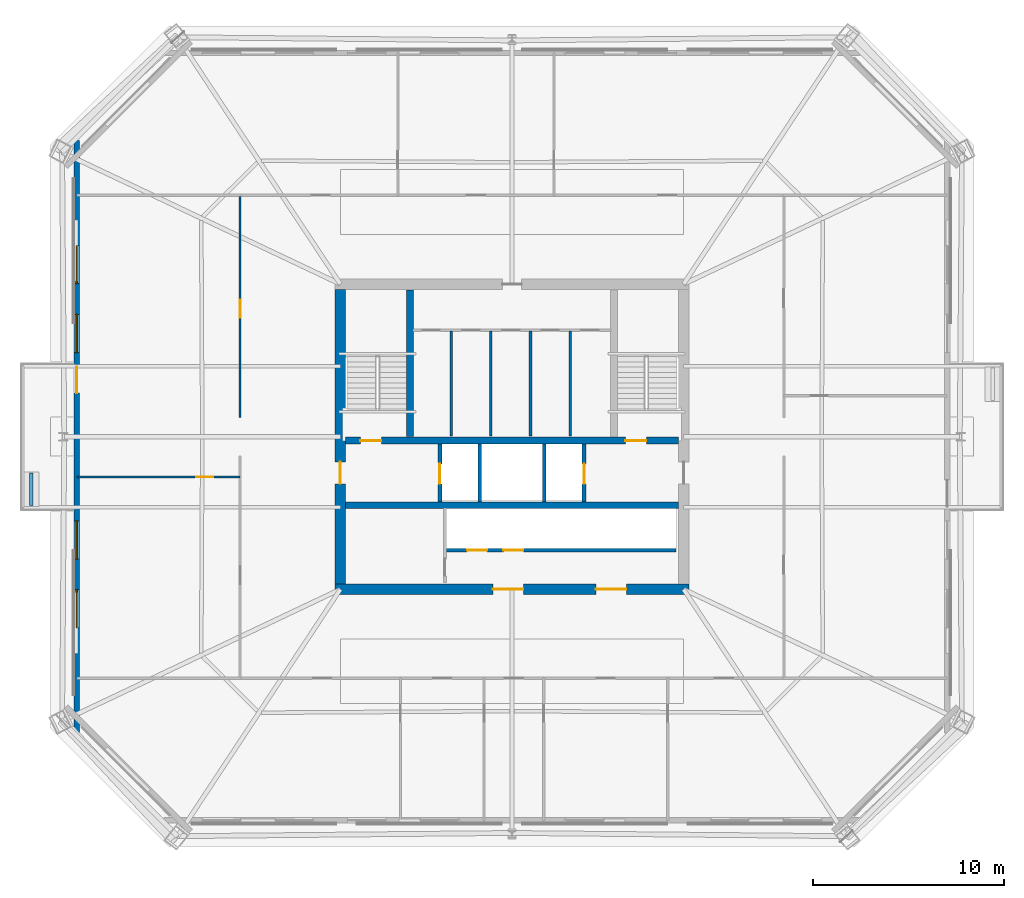
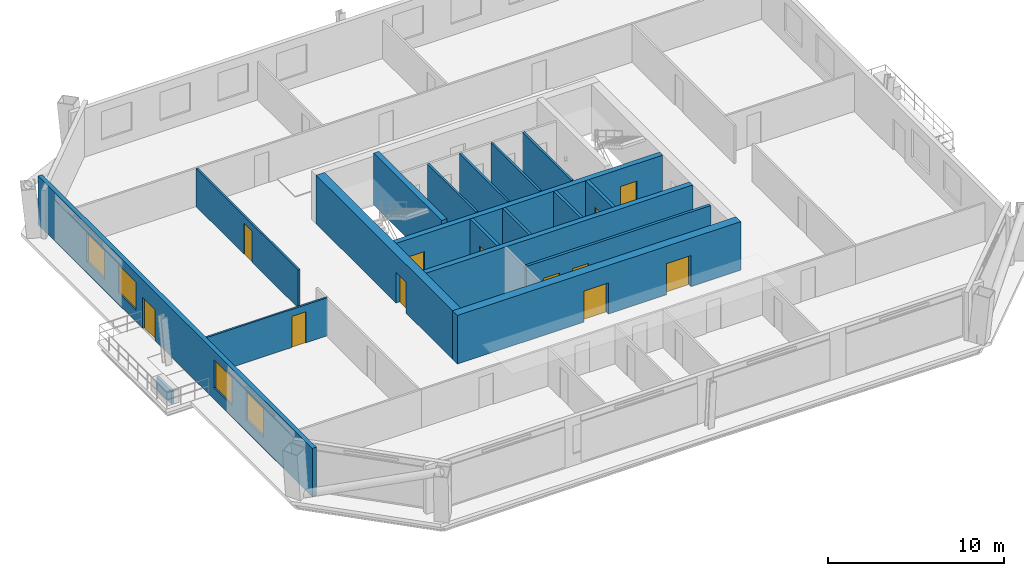
# One storey, part 3 of 8: 18 walls, 12 doors, 4 windows, 16 openings.
"""IFC4 building model written with IfcOpenShell, lengths in metres."""

from ifc_helpers import new_model, si_unit, direction, frame, frame_2d, origin, place, context, subcontext, project, spatial, rectangle, extrude, material, layer, layer_set, type_object, element, fill, save


model = new_model("IFC4")

# Units and contexts
model_context = context("Model", 3, precision=1e-05, world=origin(), true_north=direction((0.0, 1.0)))
body_context = subcontext(model_context, "Body", "Model", "MODEL_VIEW")
ifc_project = project(units=[si_unit("LENGTHUNIT", "METRE"), si_unit("AREAUNIT", "SQUARE_METRE"), si_unit("VOLUMEUNIT", "CUBIC_METRE"), si_unit("PLANEANGLEUNIT", "RADIAN"), si_unit("MASSUNIT", "GRAM", prefix="KILO")], contexts=[model_context])

# Site, building, storey
site_placement = place(None, origin())
site = spatial("IfcSite", under=ifc_project, at=site_placement, CompositionType="ELEMENT")
building_placement = place(site_placement, origin())
building = spatial("IfcBuilding", under=site, at=building_placement, Name="Caelvoria Tower", CompositionType="ELEMENT")
storey_placement = place(building_placement, frame((0.0, 0.0, 145.60009765625)))
storey = spatial("IfcBuildingStorey", under=building, at=storey_placement, Name="L38", CompositionType="ELEMENT", Elevation=145.60009765625)

# Wall
ifc_material_1 = material(Name="Bronze-Clad Concrete C40/50", Category="concrete")
ifc_layer_1 = layer(ifc_material_1, 0.179931640625, Name="Bronze-Clad Concrete C40/50")
ifc_layer_set_1 = layer_set([ifc_layer_1], Name="Architectural Planter Kerb Wall 180 - Bronze-Clad Concrete C40/50")
wall_type_1 = type_object("IfcWallType", Name="Architectural Planter Kerb Wall 180", PredefinedType="PARAPET", material=ifc_layer_set_1)
wall_1_placement = place(storey_placement, frame((20.800048828125, 28.39990234375, 0.0), z_axis=(0.0, 0.0, 1.0), x_axis=(0.0, 1.0, 0.0)))
element("IfcWall", 1, at=wall_1_placement, inside=storey, type_object=wall_type_1, Name="Tree Balcony Planter Kerb PLANTER TB-L38-W", PredefinedType="PARAPET", context=body_context, shape_type="SweptSolid", body=[
    extrude(rectangle(XDim=1.7001953125, YDim=0.179931640625, at=frame_2d((0.85009765625, 0.0))), origin(), (0.0, 0.0, 1.0), 0.8798828125),
])

# Wall, openings, doors
ifc_material_2 = material(Name="Concrete C50/60", Category="concrete")
ifc_layer_2 = layer(ifc_material_2, 0.35009765625, Name="Concrete C50/60")
ifc_layer_set_2 = layer_set([ifc_layer_2], Name="Core Internal Shear Wall 350 - Concrete C50/60")
wall_type_2 = type_object("IfcWallType", Name="Core Internal Shear Wall 350", PredefinedType="SHEAR", material=ifc_layer_set_2)
wall_2_placement = place(storey_placement, frame((37.27490234375, 31.800048828125, 0.0), z_axis=(0.0, 0.0, 1.0), x_axis=(1.0, 0.0, 0.0)))
wall_2 = element("IfcWall", 2, at=wall_2_placement, inside=storey, type_object=wall_type_2, Name="Core Shear Wall L38 M1", PredefinedType="SHEAR", context=body_context, shape_type="SweptSolid", body=[
    extrude(rectangle(XDim=17.4501953125, YDim=0.35009765625, at=frame_2d((8.72509765625, 0.0))), origin(), (0.0, 0.0, 1.0), 3.35986328125),
])
opening_1_placement = place(wall_2_placement, frame((0.77490234375, 0.0, 0.0)))
opening_1 = element("IfcOpeningElement", 3, at=opening_1_placement, cuts=wall_2, Name="Opening ID-01", PredefinedType="OPENING", context=body_context, shape_type="SweptSolid", body=[
    extrude(rectangle(XDim=1.10009765625, YDim=2.14990234375, at=frame_2d((0.550048828125, 1.074951171875))), frame((0.0, 0.18505859375, 0.0), z_axis=(0.0, -1.0, 0.0), x_axis=(1.0, 0.0, 0.0)), (0.0, 0.0, 1.0), 0.3701171875),
])
opening_2_placement = place(wall_2_placement, frame((14.675048828125, 0.0, 0.0)))
opening_2 = element("IfcOpeningElement", 4, at=opening_2_placement, cuts=wall_2, Name="Opening ID-01", PredefinedType="OPENING", context=body_context, shape_type="SweptSolid", body=[
    extrude(rectangle(XDim=1.10009765625, YDim=2.14990234375, at=frame_2d((0.550048828125, 1.074951171875))), frame((0.0, 0.18505859375, 0.0), z_axis=(0.0, -1.0, 0.0), x_axis=(1.0, 0.0, 0.0)), (0.0, 0.0, 1.0), 0.3701171875),
])
ifc_material_3 = material(Name="Painted Hollow Steel Fire Door", Category="steel")
door_type_1 = type_object("IfcDoorType", Name="Fire Door FD90S 1100x2150", OperationType="NOTDEFINED", PredefinedType="DOOR", material=ifc_material_3)
door_1_placement = place(opening_1_placement, origin())
door_1 = element("IfcDoor", 5, at=door_1_placement, inside=storey, type_object=door_type_1, Name="Core Door DR-L38-ST1", OperationType="SINGLE_SWING_LEFT", OverallHeight=2.14990234375, OverallWidth=1.10009765625, PredefinedType="DOOR", context=body_context, shape_type="SweptSolid", body=[
    extrude(rectangle(XDim=1.10009765625, YDim=2.14990234375, at=frame_2d((0.550048828125, 1.074951171875))), frame((0.0, 0.02490234375, 0.0), z_axis=(0.0, -1.0, 0.0), x_axis=(1.0, 0.0, 0.0)), (0.0, 0.0, 1.0), 0.050048828125),
])
fill(opening_1, door_1)
door_2_placement = place(opening_2_placement, origin())
door_2 = element("IfcDoor", 6, at=door_2_placement, inside=storey, type_object=door_type_1, Name="Core Door DR-L38-ST2", OperationType="SINGLE_SWING_RIGHT", OverallHeight=2.14990234375, OverallWidth=1.10009765625, PredefinedType="DOOR", context=body_context, shape_type="SweptSolid", body=[
    extrude(rectangle(XDim=1.10009765625, YDim=2.14990234375, at=frame_2d((0.550048828125, 1.074951171875))), frame((0.0, 0.02490234375, 0.0), z_axis=(0.0, -1.0, 0.0), x_axis=(1.0, 0.0, 0.0)), (0.0, 0.0, 1.0), 0.050048828125),
])
fill(opening_2, door_2)

# Walls
wall_3_placement = place(storey_placement, frame((37.27490234375, 28.39990234375, 0.0), z_axis=(0.0, 0.0, 1.0), x_axis=(1.0, 0.0, 0.0)))
element("IfcWall", 7, at=wall_3_placement, inside=storey, type_object=wall_type_2, Name="Core Shear Wall L38 M2", PredefinedType="SHEAR", context=body_context, shape_type="SweptSolid", body=[
    extrude(rectangle(XDim=17.4501953125, YDim=0.35009765625, at=frame_2d((8.72509765625, 0.0))), origin(), (0.0, 0.0, 1.0), 3.35986328125),
])
wall_4_placement = place(storey_placement, frame((40.64990234375, 32.0, 0.0), z_axis=(0.0, 0.0, 1.0), x_axis=(0.0, 1.0, 0.0)))
element("IfcWall", 8, at=wall_4_placement, inside=storey, type_object=wall_type_2, Name="Interior Partition IW-L38-ST1E", PredefinedType="SHEAR", context=body_context, shape_type="SweptSolid", body=[
    extrude(rectangle(XDim=7.699951171875, YDim=0.35009765625, at=frame_2d((3.85009765625, 0.0))), origin(), (0.0, 0.0, 1.0), 3.599853515625),
])
ifc_material_4 = material(Name="Moisture-Resistant Gypsum on Steel Stud", Category="steel")
ifc_layer_3 = layer(ifc_material_4, 0.139892578125, Name="Moisture-Resistant Gypsum on Steel Stud")
ifc_layer_set_3 = layer_set([ifc_layer_3], Name="Core Sanitary Acoustic Partition Wall 140 - Moisture-Resistant Gypsum on Steel Stud")
wall_type_3 = type_object("IfcWallType", Name="Core Sanitary Acoustic Partition Wall 140", PredefinedType="PARTITIONING", material=ifc_layer_set_3)
for number, where, z_axis, x_axis, name in (
    (9, (42.81005859375, 32.050048828125, 0.0), (0.0, 0.0, 1.0), (0.0, 1.0, 0.0), "Interior Partition IW-L38-C1V0"),
    (10, (44.889892578125, 32.050048828125, 0.0), (0.0, 0.0, 1.0), (0.0, 1.0, 0.0), "Interior Partition IW-L38-C1V1"),
    (11, (46.969970703125, 32.050048828125, 0.0), (0.0, 0.0, 1.0), (0.0, 1.0, 0.0), "Interior Partition IW-L38-C1V2"),
    (12, (49.050048828125, 32.050048828125, 0.0), (0.0, 0.0, 1.0), (0.0, 1.0, 0.0), "Interior Partition IW-L38-C1V3"),
):
    element("IfcWall", number, at=place(storey_placement, frame(where, z_axis=z_axis, x_axis=x_axis)), inside=storey, type_object=wall_type_3, Name=name, PredefinedType="PARTITIONING", context=body_context, shape_type="SweptSolid", body=[
        extrude(rectangle(XDim=5.5, YDim=0.139892578125, at=frame_2d((2.75, 0.0))), origin(), (0.0, 0.0, 1.0), 3.35986328125),
    ])

# Wall, openings, windows, door
ifc_material_5 = material(Name="Precast Concrete C40/50 with Bronze Cladding", Category="concrete")
ifc_layer_4 = layer(ifc_material_5, 0.280029296875, Name="Precast Concrete C40/50 with Bronze Cladding")
ifc_layer_set_4 = layer_set([ifc_layer_4], Name="Exterior Precast Concrete C40/50 Bronze-Clad Facade Wall 280 - Precast Concrete C40/50 with Bronze Cladding")
wall_type_4 = type_object("IfcWallType", Name="Exterior Precast Concrete C40/50 Bronze-Clad Facade Wall 280", PredefinedType="STANDARD", material=ifc_layer_set_4)
wall_5_placement = place(storey_placement, frame((23.179931640625, 47.5400390625, 0.0), z_axis=(0.0, 0.0, 1.0), x_axis=(0.0, -1.0, 0.0)))
wall_5 = element("IfcWall", 13, at=wall_5_placement, inside=storey, type_object=wall_type_4, Name="Exterior Facade Wall L38-E6", PredefinedType="STANDARD", context=body_context, shape_type="SweptSolid", body=[
    extrude(rectangle(XDim=31.080078125, YDim=0.280029296875, at=frame_2d((15.5400390625, 0.0))), origin(), (0.0, 0.0, 1.0), 3.35986328125),
])
opening_3_placement = place(wall_5_placement, frame((11.860107421875, 0.0, 0.0)))
opening_3 = element("IfcOpeningElement", 14, at=opening_3_placement, cuts=wall_5, Name="Opening ED-04", PredefinedType="OPENING", context=body_context, shape_type="SweptSolid", body=[
    extrude(rectangle(XDim=1.39990234375, YDim=2.14990234375, at=frame_2d((0.699951171875, 1.074951171875))), frame((0.0, 0.14990234375, 0.0), z_axis=(0.0, -1.0, 0.0), x_axis=(1.0, 0.0, 0.0)), (0.0, 0.0, 1.0), 0.300048828125),
])
opening_4_placement = place(wall_5_placement, frame((5.514892578125, 0.0, 0.800048828125)))
opening_4 = element("IfcOpeningElement", 15, at=opening_4_placement, cuts=wall_5, Name="Opening WN-01", PredefinedType="OPENING", context=body_context, shape_type="SweptSolid", body=[
    extrude(rectangle(XDim=2.0, YDim=1.949951171875, at=frame_2d((1.0, 0.97509765625))), frame((0.0, 0.14990234375, 0.0), z_axis=(0.0, -1.0, 0.0), x_axis=(1.0, 0.0, 0.0)), (0.0, 0.0, 1.0), 0.300048828125),
])
opening_5_placement = place(wall_5_placement, frame((9.125, 0.0, 0.800048828125)))
opening_5 = element("IfcOpeningElement", 16, at=opening_5_placement, cuts=wall_5, Name="Opening WN-01", PredefinedType="OPENING", context=body_context, shape_type="SweptSolid", body=[
    extrude(rectangle(XDim=2.0, YDim=1.949951171875, at=frame_2d((1.0, 0.97509765625))), frame((0.0, 0.14990234375, 0.0), z_axis=(0.0, -1.0, 0.0), x_axis=(1.0, 0.0, 0.0)), (0.0, 0.0, 1.0), 0.300048828125),
])
opening_6_placement = place(wall_5_placement, frame((19.955078125, 0.0, 0.800048828125)))
opening_6 = element("IfcOpeningElement", 17, at=opening_6_placement, cuts=wall_5, Name="Opening WN-01", PredefinedType="OPENING", context=body_context, shape_type="SweptSolid", body=[
    extrude(rectangle(XDim=2.0, YDim=1.949951171875, at=frame_2d((1.0, 0.97509765625))), frame((0.0, 0.14990234375, 0.0), z_axis=(0.0, -1.0, 0.0), x_axis=(1.0, 0.0, 0.0)), (0.0, 0.0, 1.0), 0.300048828125),
])
opening_7_placement = place(wall_5_placement, frame((23.56494140625, 0.0, 0.800048828125)))
opening_7 = element("IfcOpeningElement", 18, at=opening_7_placement, cuts=wall_5, Name="Opening WN-01", PredefinedType="OPENING", context=body_context, shape_type="SweptSolid", body=[
    extrude(rectangle(XDim=2.0, YDim=1.949951171875, at=frame_2d((1.0, 0.97509765625))), frame((0.0, 0.14990234375, 0.0), z_axis=(0.0, -1.0, 0.0), x_axis=(1.0, 0.0, 0.0)), (0.0, 0.0, 1.0), 0.300048828125),
])
ifc_material_6 = material(Name="Low-E Tinted Glass in Bronze Aluminium Frame", Category="aluminium")
window_type = type_object("IfcWindowType", Name="Tower Office Vision Window 2000x1950", PartitioningType="SINGLE_PANEL", PredefinedType="WINDOW", material=ifc_material_6)
window_1_placement = place(opening_4_placement, origin())
window_1 = element("IfcWindow", 19, at=window_1_placement, inside=storey, type_object=window_type, Name="Facade Window L38-E6-01", OverallHeight=1.949951171875, OverallWidth=2.0, PartitioningType="SINGLE_PANEL", PredefinedType="WINDOW", context=body_context, shape_type="SweptSolid", body=[
    extrude(rectangle(XDim=2.0, YDim=1.949951171875, at=frame_2d((1.0, 0.97509765625))), frame((0.0, 0.030029296875, 0.0), z_axis=(0.0, -1.0, 0.0), x_axis=(1.0, 0.0, 0.0)), (0.0, 0.0, 1.0), 0.06005859375),
])
fill(opening_4, window_1)
window_2_placement = place(opening_5_placement, origin())
window_2 = element("IfcWindow", 20, at=window_2_placement, inside=storey, type_object=window_type, Name="Facade Window L38-E6-02", OverallHeight=1.949951171875, OverallWidth=2.0, PartitioningType="SINGLE_PANEL", PredefinedType="WINDOW", context=body_context, shape_type="SweptSolid", body=[
    extrude(rectangle(XDim=2.0, YDim=1.949951171875, at=frame_2d((1.0, 0.97509765625))), frame((0.0, 0.030029296875, 0.0), z_axis=(0.0, -1.0, 0.0), x_axis=(1.0, 0.0, 0.0)), (0.0, 0.0, 1.0), 0.06005859375),
])
fill(opening_5, window_2)
window_3_placement = place(opening_6_placement, origin())
window_3 = element("IfcWindow", 21, at=window_3_placement, inside=storey, type_object=window_type, Name="Facade Window L38-E6-05", OverallHeight=1.949951171875, OverallWidth=2.0, PartitioningType="SINGLE_PANEL", PredefinedType="WINDOW", context=body_context, shape_type="SweptSolid", body=[
    extrude(rectangle(XDim=2.0, YDim=1.949951171875, at=frame_2d((1.0, 0.97509765625))), frame((0.0, 0.030029296875, 0.0), z_axis=(0.0, -1.0, 0.0), x_axis=(1.0, 0.0, 0.0)), (0.0, 0.0, 1.0), 0.06005859375),
])
fill(opening_6, window_3)
window_4_placement = place(opening_7_placement, origin())
window_4 = element("IfcWindow", 22, at=window_4_placement, inside=storey, type_object=window_type, Name="Facade Window L38-E6-06", OverallHeight=1.949951171875, OverallWidth=2.0, PartitioningType="SINGLE_PANEL", PredefinedType="WINDOW", context=body_context, shape_type="SweptSolid", body=[
    extrude(rectangle(XDim=2.0, YDim=1.949951171875, at=frame_2d((1.0, 0.97509765625))), frame((0.0, 0.030029296875, 0.0), z_axis=(0.0, -1.0, 0.0), x_axis=(1.0, 0.0, 0.0)), (0.0, 0.0, 1.0), 0.06005859375),
])
fill(opening_7, window_4)
ifc_material_7 = material(Name="Anodised Bronze Aluminium and Laminated Glass", Category="aluminium")
door_type_2 = type_object("IfcDoorType", Name="Tree Balcony Glazed Door 1400x2150", OperationType="NOTDEFINED", PredefinedType="DOOR", material=ifc_material_7)
door_3_placement = place(opening_3_placement, origin())
door_3 = element("IfcDoor", 23, at=door_3_placement, inside=storey, type_object=door_type_2, Name="Tree Balcony Door L38-W", OperationType="SINGLE_SWING_LEFT", OverallHeight=2.14990234375, OverallWidth=1.39990234375, PredefinedType="DOOR", context=body_context, shape_type="SweptSolid", body=[
    extrude(rectangle(XDim=1.39990234375, YDim=2.14990234375, at=frame_2d((0.699951171875, 1.074951171875))), frame((0.0, 0.02490234375, 0.0), z_axis=(0.0, -1.0, 0.0), x_axis=(1.0, 0.0, 0.0)), (0.0, 0.0, 1.0), 0.050048828125),
])
fill(opening_3, door_3)

# Walls
ifc_material_8 = material(Name="Concrete Block and Fireboard Assembly", Category="concrete")
ifc_layer_5 = layer(ifc_material_8, 0.179931640625, Name="Concrete Block and Fireboard Assembly")
ifc_layer_set_5 = layer_set([ifc_layer_5], Name="Fire-Rated Hoistway Partition Wall 180 - Concrete Block and Fireboard Assembly")
wall_type_5 = type_object("IfcWallType", Name="Fire-Rated Hoistway Partition Wall 180", PredefinedType="PARTITIONING", material=ifc_layer_set_5)
for number, where, z_axis, x_axis, name in (
    (24, (44.320068359375, 28.580078125, 0.0), (0.0, 0.0, 1.0), (0.0, 1.0, 0.0), "Interior Partition IW-L38-SV1W"),
    (25, (47.679931640625, 28.580078125, 0.0), (0.0, 0.0, 1.0), (0.0, 1.0, 0.0), "Interior Partition IW-L38-SV1E"),
):
    element("IfcWall", number, at=place(storey_placement, frame(where, z_axis=z_axis, x_axis=x_axis)), inside=storey, type_object=wall_type_5, Name=name, PredefinedType="PARTITIONING", context=body_context, shape_type="SweptSolid", body=[
        extrude(rectangle(XDim=3.0400390625, YDim=0.179931640625, at=frame_2d((1.52001953125, 0.0))), origin(), (0.0, 0.0, 1.0), 3.35986328125),
    ])

# Wall, openings, doors
wall_6_placement = place(storey_placement, frame((42.550048828125, 26.050048828125, 0.0), z_axis=(0.0, 0.0, 1.0), x_axis=(1.0, 0.0, 0.0)))
wall_6 = element("IfcWall", 26, at=wall_6_placement, inside=storey, type_object=wall_type_5, Name="Interior Partition IW-L38-LFRONT", PredefinedType="PARTITIONING", context=body_context, shape_type="SweptSolid", body=[
    extrude(rectangle(XDim=12.050048828125, YDim=0.179931640625, at=frame_2d((6.02490234375, 0.0))), origin(), (0.0, 0.0, 1.0), 3.35986328125),
])
opening_8_placement = place(wall_6_placement, frame((1.10009765625, 0.0, 0.0)))
opening_8 = element("IfcOpeningElement", 27, at=opening_8_placement, cuts=wall_6, Name="Opening LD-01", PredefinedType="OPENING", context=body_context, shape_type="SweptSolid", body=[
    extrude(rectangle(XDim=1.050048828125, YDim=2.14990234375, at=frame_2d((0.52490234375, 1.074951171875))), frame((0.0, 0.099853515625, 0.0), z_axis=(0.0, -1.0, 0.0), x_axis=(1.0, 0.0, 0.0)), (0.0, 0.0, 1.0), 0.199951171875),
])
opening_9_placement = place(wall_6_placement, frame((3.0, 0.0, 0.0)))
opening_9 = element("IfcOpeningElement", 28, at=opening_9_placement, cuts=wall_6, Name="Opening LD-01", PredefinedType="OPENING", context=body_context, shape_type="SweptSolid", body=[
    extrude(rectangle(XDim=1.050048828125, YDim=2.14990234375, at=frame_2d((0.52490234375, 1.074951171875))), frame((0.0, 0.099853515625, 0.0), z_axis=(0.0, -1.0, 0.0), x_axis=(1.0, 0.0, 0.0)), (0.0, 0.0, 1.0), 0.199951171875),
])
ifc_material_9 = material(Name="Brushed Bronze Stainless Sliding Landing Door", Category="aluminium")
door_type_3 = type_object("IfcDoorType", Name="Lift Landing Sliding Door 1100x2150", OperationType="NOTDEFINED", PredefinedType="DOOR", material=ifc_material_9)
door_4_placement = place(opening_8_placement, origin())
door_4 = element("IfcDoor", 29, at=door_4_placement, inside=storey, type_object=door_type_3, Name="Interior Door LD-L38-PM1", OperationType="SLIDING_TO_LEFT", OverallHeight=2.14990234375, OverallWidth=1.050048828125, PredefinedType="DOOR", context=body_context, shape_type="SweptSolid", body=[
    extrude(rectangle(XDim=1.050048828125, YDim=2.14990234375, at=frame_2d((0.52490234375, 1.074951171875))), frame((0.0, 0.02490234375, 0.0), z_axis=(0.0, -1.0, 0.0), x_axis=(1.0, 0.0, 0.0)), (0.0, 0.0, 1.0), 0.050048828125),
])
fill(opening_8, door_4)
door_5_placement = place(opening_9_placement, origin())
door_5 = element("IfcDoor", 30, at=door_5_placement, inside=storey, type_object=door_type_3, Name="Interior Door LD-L38-PM2", OperationType="SLIDING_TO_RIGHT", OverallHeight=2.14990234375, OverallWidth=1.050048828125, PredefinedType="DOOR", context=body_context, shape_type="SweptSolid", body=[
    extrude(rectangle(XDim=1.050048828125, YDim=2.14990234375, at=frame_2d((0.52490234375, 1.074951171875))), frame((0.0, 0.02490234375, 0.0), z_axis=(0.0, -1.0, 0.0), x_axis=(1.0, 0.0, 0.0)), (0.0, 0.0, 1.0), 0.050048828125),
])
fill(opening_9, door_5)

# Wall, opening, door
ifc_layer_6 = layer(ifc_material_8, 0.199951171875, Name="Concrete Block and Fireboard Assembly")
ifc_layer_set_6 = layer_set([ifc_layer_6], Name="Fire-Rated Shaft and Core Partition Wall 200 - Concrete Block and Fireboard Assembly")
wall_type_6 = type_object("IfcWallType", Name="Fire-Rated Shaft and Core Partition Wall 200", PredefinedType="PARTITIONING", material=ifc_layer_set_6)
wall_7_placement = place(storey_placement, frame((42.219970703125, 28.580078125, 0.0), z_axis=(0.0, 0.0, 1.0), x_axis=(0.0, 1.0, 0.0)))
wall_7 = element("IfcWall", 31, at=wall_7_placement, inside=storey, type_object=wall_type_6, Name="Interior Partition IW-L38-LF1W", PredefinedType="PARTITIONING", context=body_context, shape_type="SweptSolid", body=[
    extrude(rectangle(XDim=3.0400390625, YDim=0.199951171875, at=frame_2d((1.52001953125, 0.0))), origin(), (0.0, 0.0, 1.0), 3.35986328125),
])
opening_10_placement = place(wall_7_placement, frame((0.949951171875, 0.0, 0.0)))
opening_10 = element("IfcOpeningElement", 32, at=opening_10_placement, cuts=wall_7, Name="Opening LD-01", PredefinedType="OPENING", context=body_context, shape_type="SweptSolid", body=[
    extrude(rectangle(XDim=1.050048828125, YDim=2.14990234375, at=frame_2d((0.52490234375, 1.074951171875))), frame((0.0, 0.10986328125, 0.0), z_axis=(0.0, -1.0, 0.0), x_axis=(1.0, 0.0, 0.0)), (0.0, 0.0, 1.0), 0.219970703125),
])
door_6_placement = place(opening_10_placement, origin())
door_6 = element("IfcDoor", 33, at=door_6_placement, inside=storey, type_object=door_type_3, Name="Interior Door LD-L38-LF1", OperationType="SLIDING_TO_LEFT", OverallHeight=2.14990234375, OverallWidth=1.050048828125, PredefinedType="DOOR", context=body_context, shape_type="SweptSolid", body=[
    extrude(rectangle(XDim=1.050048828125, YDim=2.14990234375, at=frame_2d((0.52490234375, 1.074951171875))), frame((0.0, 0.02490234375, 0.0), z_axis=(0.0, -1.0, 0.0), x_axis=(1.0, 0.0, 0.0)), (0.0, 0.0, 1.0), 0.050048828125),
])
fill(opening_10, door_6)

wall_8_placement = place(storey_placement, frame((49.780029296875, 28.580078125, 0.0), z_axis=(0.0, 0.0, 1.0), x_axis=(0.0, 1.0, 0.0)))
wall_8 = element("IfcWall", 34, at=wall_8_placement, inside=storey, type_object=wall_type_6, Name="Interior Partition IW-L38-LF2E", PredefinedType="PARTITIONING", context=body_context, shape_type="SweptSolid", body=[
    extrude(rectangle(XDim=3.0400390625, YDim=0.199951171875, at=frame_2d((1.52001953125, 0.0))), origin(), (0.0, 0.0, 1.0), 3.35986328125),
])
opening_11_placement = place(wall_8_placement, frame((0.949951171875, 0.0, 0.0)))
opening_11 = element("IfcOpeningElement", 35, at=opening_11_placement, cuts=wall_8, Name="Opening LD-01", PredefinedType="OPENING", context=body_context, shape_type="SweptSolid", body=[
    extrude(rectangle(XDim=1.050048828125, YDim=2.14990234375, at=frame_2d((0.52490234375, 1.074951171875))), frame((0.0, 0.10986328125, 0.0), z_axis=(0.0, -1.0, 0.0), x_axis=(1.0, 0.0, 0.0)), (0.0, 0.0, 1.0), 0.219970703125),
])
door_7_placement = place(opening_11_placement, origin())
door_7 = element("IfcDoor", 36, at=door_7_placement, inside=storey, type_object=door_type_3, Name="Interior Door LD-L38-LF2", OperationType="SLIDING_TO_RIGHT", OverallHeight=2.14990234375, OverallWidth=1.050048828125, PredefinedType="DOOR", context=body_context, shape_type="SweptSolid", body=[
    extrude(rectangle(XDim=1.050048828125, YDim=2.14990234375, at=frame_2d((0.52490234375, 1.074951171875))), frame((0.0, 0.02490234375, 0.0), z_axis=(0.0, -1.0, 0.0), x_axis=(1.0, 0.0, 0.0)), (0.0, 0.0, 1.0), 0.050048828125),
])
fill(opening_11, door_7)

# Wall, openings, doors
ifc_material_10 = material(Name="Concrete C55/67", Category="concrete")
ifc_layer_7 = layer(ifc_material_10, 0.550048828125, Name="Concrete C55/67")
ifc_layer_set_7 = layer_set([ifc_layer_7], Name="Mid Core Shear Wall 550 - Concrete C55/67")
wall_type_7 = type_object("IfcWallType", Name="Mid Core Shear Wall 550", PredefinedType="SHEAR", material=ifc_layer_set_7)
wall_9_placement = place(storey_placement, frame((36.72509765625, 24.0, 0.0), z_axis=(0.0, 0.0, 1.0), x_axis=(1.0, 0.0, 0.0)))
wall_9 = element("IfcWall", 37, at=wall_9_placement, inside=storey, type_object=wall_type_7, Name="Core Shear Wall L38 S", PredefinedType="SHEAR", context=body_context, shape_type="SweptSolid", body=[
    extrude(rectangle(XDim=18.5498046875, YDim=0.550048828125, at=frame_2d((9.27490234375, 0.0))), origin(), (0.0, 0.0, 1.0), 3.35986328125),
])
opening_12_placement = place(wall_9_placement, frame((8.27490234375, 0.0, 0.0)))
opening_12 = element("IfcOpeningElement", 38, at=opening_12_placement, cuts=wall_9, Name="Opening ID-08", PredefinedType="OPENING", context=body_context, shape_type="SweptSolid", body=[
    extrude(rectangle(XDim=1.60009765625, YDim=2.14990234375, at=frame_2d((0.800048828125, 1.074951171875))), frame((0.0, 0.284912109375, 0.0), z_axis=(0.0, -1.0, 0.0), x_axis=(1.0, 0.0, 0.0)), (0.0, 0.0, 1.0), 0.570068359375),
])
opening_13_placement = place(wall_9_placement, frame((13.675048828125, 0.0, 0.0)))
opening_13 = element("IfcOpeningElement", 39, at=opening_13_placement, cuts=wall_9, Name="Opening ID-08", PredefinedType="OPENING", context=body_context, shape_type="SweptSolid", body=[
    extrude(rectangle(XDim=1.60009765625, YDim=2.14990234375, at=frame_2d((0.800048828125, 1.074951171875))), frame((0.0, 0.284912109375, 0.0), z_axis=(0.0, -1.0, 0.0), x_axis=(1.0, 0.0, 0.0)), (0.0, 0.0, 1.0), 0.570068359375),
])
ifc_material_11 = material(Name="Bronze-Framed Fire-Rated Glazed Double Door", Category="aluminium")
door_type_4 = type_object("IfcDoorType", Name="Double Lobby Glazed Door 1600x2200", OperationType="NOTDEFINED", PredefinedType="DOOR", material=ifc_material_11)
door_8_placement = place(opening_12_placement, origin())
door_8 = element("IfcDoor", 40, at=door_8_placement, inside=storey, type_object=door_type_4, Name="Core Door DR-L38-LLOB-S1", OperationType="DOUBLE_DOOR_SINGLE_SWING", OverallHeight=2.14990234375, OverallWidth=1.60009765625, PredefinedType="DOOR", context=body_context, shape_type="SweptSolid", body=[
    extrude(rectangle(XDim=1.60009765625, YDim=2.14990234375, at=frame_2d((0.800048828125, 1.074951171875))), frame((0.0, 0.02490234375, 0.0), z_axis=(0.0, -1.0, 0.0), x_axis=(1.0, 0.0, 0.0)), (0.0, 0.0, 1.0), 0.050048828125),
])
fill(opening_12, door_8)
door_9_placement = place(opening_13_placement, origin())
door_9 = element("IfcDoor", 41, at=door_9_placement, inside=storey, type_object=door_type_4, Name="Core Door DR-L38-LLOB-S2", OperationType="DOUBLE_DOOR_SINGLE_SWING", OverallHeight=2.14990234375, OverallWidth=1.60009765625, PredefinedType="DOOR", context=body_context, shape_type="SweptSolid", body=[
    extrude(rectangle(XDim=1.60009765625, YDim=2.14990234375, at=frame_2d((0.800048828125, 1.074951171875))), frame((0.0, 0.02490234375, 0.0), z_axis=(0.0, -1.0, 0.0), x_axis=(1.0, 0.0, 0.0)), (0.0, 0.0, 1.0), 0.050048828125),
])
fill(opening_13, door_9)

# Wall, opening, door
wall_10_placement = place(storey_placement, frame((37.0, 24.27490234375, 0.0), z_axis=(0.0, 0.0, 1.0), x_axis=(0.0, 1.0, 0.0)))
wall_10 = element("IfcWall", 42, at=wall_10_placement, inside=storey, type_object=wall_type_7, Name="Core Shear Wall L38 W", PredefinedType="SHEAR", context=body_context, shape_type="SweptSolid", body=[
    extrude(rectangle(XDim=15.4501953125, YDim=0.550048828125, at=frame_2d((7.72509765625, 0.0))), origin(), (0.0, 0.0, 1.0), 3.35986328125),
])
opening_14_placement = place(wall_10_placement, frame((5.25, 0.0, 0.0)))
opening_14 = element("IfcOpeningElement", 43, at=opening_14_placement, cuts=wall_10, Name="Opening ID-02", PredefinedType="OPENING", context=body_context, shape_type="SweptSolid", body=[
    extrude(rectangle(XDim=1.14990234375, YDim=2.14990234375, at=frame_2d((0.574951171875, 1.074951171875))), frame((0.0, 0.284912109375, 0.0), z_axis=(0.0, -1.0, 0.0), x_axis=(1.0, 0.0, 0.0)), (0.0, 0.0, 1.0), 0.570068359375),
])
door_type_5 = type_object("IfcDoorType", Name="Fire Door FD60S 1150x2150", OperationType="NOTDEFINED", PredefinedType="DOOR", material=ifc_material_3)
door_10_placement = place(opening_14_placement, origin())
door_10 = element("IfcDoor", 44, at=door_10_placement, inside=storey, type_object=door_type_5, Name="Core Door DR-L38-FFLW-OUT", OperationType="SINGLE_SWING_LEFT", OverallHeight=2.14990234375, OverallWidth=1.14990234375, PredefinedType="DOOR", context=body_context, shape_type="SweptSolid", body=[
    extrude(rectangle(XDim=1.14990234375, YDim=2.14990234375, at=frame_2d((0.574951171875, 1.074951171875))), frame((0.0, 0.02490234375, 0.0), z_axis=(0.0, -1.0, 0.0), x_axis=(1.0, 0.0, 0.0)), (0.0, 0.0, 1.0), 0.050048828125),
])
fill(opening_14, door_10)

ifc_material_12 = material(Name="Acoustic Gypsum Board on Light-Gauge Stud", Category="gypsum")
ifc_layer_8 = layer(ifc_material_12, 0.1201171875, Name="Acoustic Gypsum Board on Light-Gauge Stud")
ifc_layer_set_8 = layer_set([ifc_layer_8], Name="Tenant Suite Acoustic Partition Wall 120 - Acoustic Gypsum Board on Light-Gauge Stud")
wall_type_8 = type_object("IfcWallType", Name="Tenant Suite Acoustic Partition Wall 120", PredefinedType="PARTITIONING", material=ifc_layer_set_8)
wall_11_placement = place(storey_placement, frame((31.739990234375, 29.88671875, 0.0), z_axis=(0.0, 0.0, 1.0), x_axis=(-1.0, 0.0, 0.0)))
wall_11 = element("IfcWall", 45, at=wall_11_placement, inside=storey, type_object=wall_type_8, Name="Interior Partition IW-L38-WD-00-0", PredefinedType="PARTITIONING", context=body_context, shape_type="SweptSolid", body=[
    extrude(rectangle(XDim=8.56005859375, YDim=0.1201171875, at=frame_2d((4.280029296875, 0.0))), origin(), (0.0, 0.0, 1.0), 2.639892578125),
])
opening_15_placement = place(wall_11_placement, frame((1.39990234375, 0.0, 0.0)))
opening_15 = element("IfcOpeningElement", 46, at=opening_15_placement, cuts=wall_11, Name="Opening ID-06", PredefinedType="OPENING", context=body_context, shape_type="SweptSolid", body=[
    extrude(rectangle(XDim=0.89990234375, YDim=2.14990234375, at=frame_2d((0.449951171875, 1.074951171875))), frame((0.0, 0.070068359375, 0.0), z_axis=(0.0, -1.0, 0.0), x_axis=(1.0, 0.0, 0.0)), (0.0, 0.0, 1.0), 0.14013671875),
])
ifc_material_13 = material(Name="Engineered Andean Oak Veneer Door", Category="wood")
door_type_6 = type_object("IfcDoorType", Name="Interior Timber Door 900x2150", OperationType="NOTDEFINED", PredefinedType="DOOR", material=ifc_material_13)
door_11_placement = place(opening_15_placement, origin())
door_11 = element("IfcDoor", 47, at=door_11_placement, inside=storey, type_object=door_type_6, Name="Interior Door DR-L38-WM-00-0", OperationType="SINGLE_SWING_RIGHT", OverallHeight=2.14990234375, OverallWidth=0.89990234375, PredefinedType="DOOR", context=body_context, shape_type="SweptSolid", body=[
    extrude(rectangle(XDim=0.89990234375, YDim=2.14990234375, at=frame_2d((0.449951171875, 1.074951171875))), frame((0.0, 0.02490234375, 0.0), z_axis=(0.0, -1.0, 0.0), x_axis=(1.0, 0.0, 0.0)), (0.0, 0.0, 1.0), 0.050048828125),
])
fill(opening_15, door_11)

wall_12_placement = place(storey_placement, frame((31.739990234375, 33.02001953125, 0.0), z_axis=(0.0, 0.0, 1.0), x_axis=(0.0, 1.0, 0.0)))
wall_12 = element("IfcWall", 48, at=wall_12_placement, inside=storey, type_object=wall_type_8, Name="Interior Partition IW-L38-WCW-1", PredefinedType="PARTITIONING", context=body_context, shape_type="SweptSolid", body=[
    extrude(rectangle(XDim=11.580078125, YDim=0.1201171875, at=frame_2d((5.7900390625, 0.0))), origin(), (0.0, 0.0, 1.0), 2.639892578125),
])
opening_16_placement = place(wall_12_placement, frame((5.215087890625, 0.0, 0.0)))
opening_16 = element("IfcOpeningElement", 49, at=opening_16_placement, cuts=wall_12, Name="Opening ID-05", PredefinedType="OPENING", context=body_context, shape_type="SweptSolid", body=[
    extrude(rectangle(XDim=0.949951171875, YDim=2.14990234375, at=frame_2d((0.47509765625, 1.074951171875))), frame((0.0, 0.070068359375, 0.0), z_axis=(0.0, -1.0, 0.0), x_axis=(1.0, 0.0, 0.0)), (0.0, 0.0, 1.0), 0.14013671875),
])
door_type_7 = type_object("IfcDoorType", Name="Interior Timber Door 950x2150", OperationType="NOTDEFINED", PredefinedType="DOOR", material=ifc_material_13)
door_12_placement = place(opening_16_placement, origin())
door_12 = element("IfcDoor", 50, at=door_12_placement, inside=storey, type_object=door_type_7, Name="Interior Door DR-L38-WC-01-0", OperationType="SINGLE_SWING_RIGHT", OverallHeight=2.14990234375, OverallWidth=0.949951171875, PredefinedType="DOOR", context=body_context, shape_type="SweptSolid", body=[
    extrude(rectangle(XDim=0.949951171875, YDim=2.14990234375, at=frame_2d((0.47509765625, 1.074951171875))), frame((0.0, 0.02490234375, 0.0), z_axis=(0.0, -1.0, 0.0), x_axis=(1.0, 0.0, 0.0)), (0.0, 0.0, 1.0), 0.050048828125),
])
fill(opening_16, door_12)

save(model, "model.ifc")
